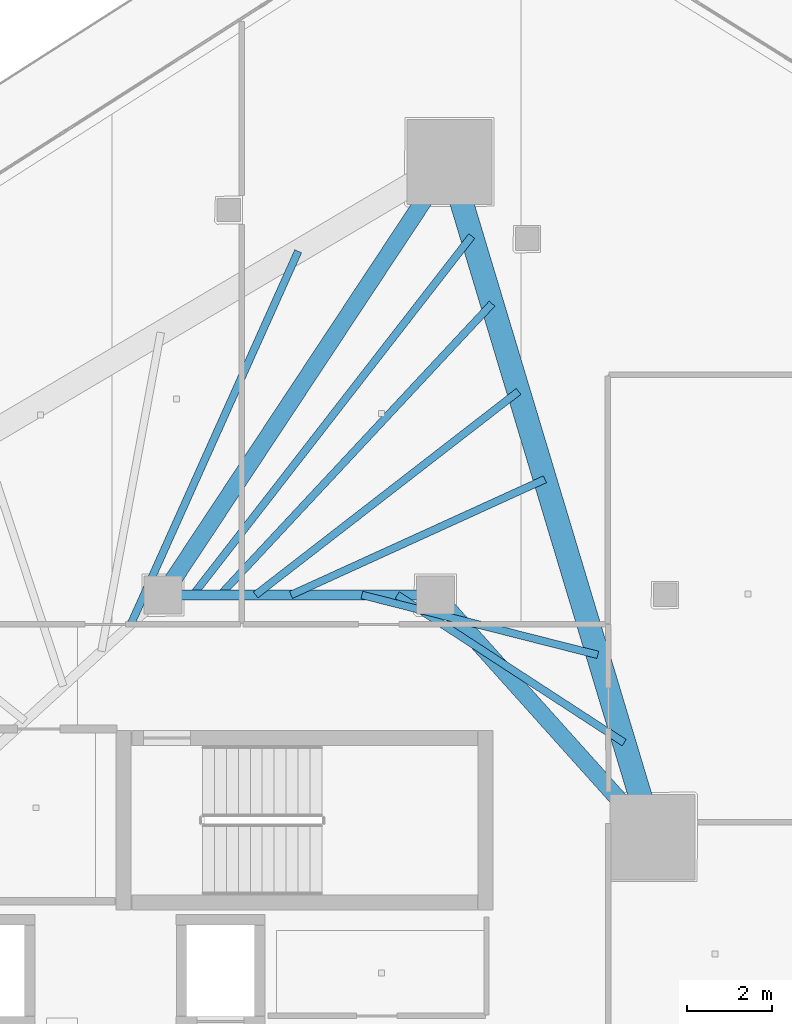
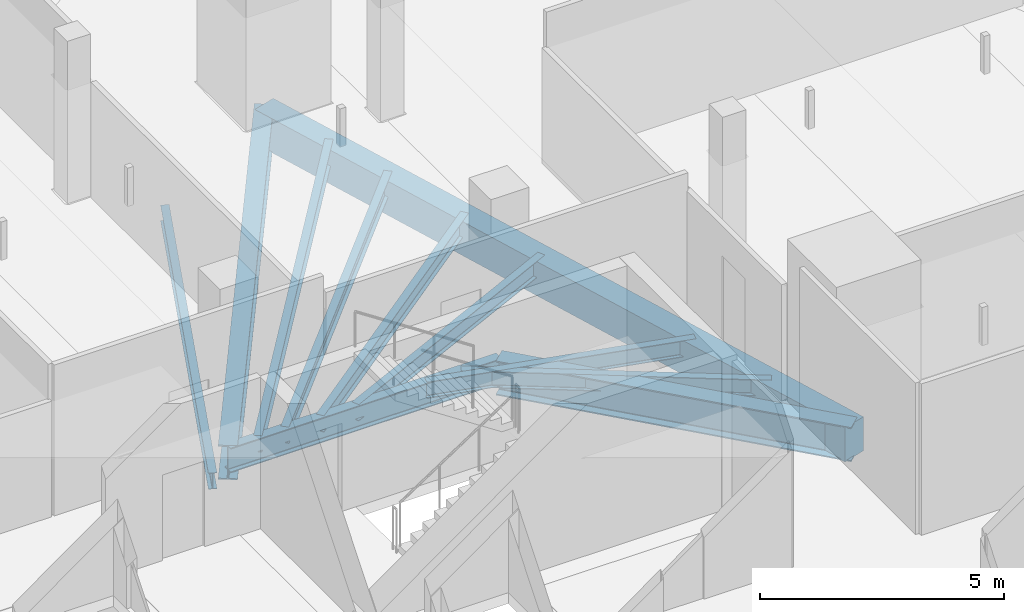
# One storey, part 19 of 37: 11 beams.
"""IFC4 building model written with IfcOpenShell, lengths in metres."""

import ifcopenshell
import ifcopenshell.guid

model = None  # the IFC model being written
_history = None  # IfcOwnerHistory: only IFC2X3 demands one
_inside = {}  # id of a spatial element -> (the spatial element, [elements in it])
_under = {}  # id of a project, library or spatial element -> (it, [spatial elements below it])
_declared = {}  # id of a project -> (the project, [libraries it declares])
_typed = {}  # id of a type object -> (the type object, [elements of that type])
_made_of = {}  # id of a material, layer set ... -> (it, [elements and type objects made of it])


def new_model(schema):
    """Start an empty IFC model of exactly this schema.

    Asked for "IFC4X3", IfcOpenShell would pick the latest addendum, in which some entities
    have other attributes; the version numbers below select the first issue.
    IFC2X3 requires an IfcOwnerHistory on every rooted entity: one is made here for all.
    """
    global model, _history
    if schema == "IFC4X3":
        model = ifcopenshell.file(schema_version=(4, 3, 0, 0))
    else:
        model = ifcopenshell.file(schema=schema)
    _inside.clear()
    _under.clear()
    _declared.clear()
    _typed.clear()
    _made_of.clear()
    _history = None
    if model.schema == "IFC2X3":
        org = make("IfcOrganization", Name="unknown")
        user = make(
            "IfcPersonAndOrganization",
            ThePerson=make("IfcPerson", FamilyName="unknown"),
            TheOrganization=org,
        )
        app = make(
            "IfcApplication",
            ApplicationDeveloper=org,
            Version="unknown",
            ApplicationFullName="unknown",
            ApplicationIdentifier="unknown",
        )
        _history = make(
            "IfcOwnerHistory",
            OwningUser=user,
            OwningApplication=app,
            ChangeAction="ADDED",
            CreationDate=0,
        )
    return model


def make(cls, **values):
    """One entity of the class cls with the attributes given. An attribute that is None is left unset."""
    return model.create_entity(
        cls, **{name: value for name, value in values.items() if value is not None}
    )


def rooted(cls, **values):
    """An entity with a GlobalId (a new one), such as an element, a storey or a relation."""
    return make(cls, GlobalId=ifcopenshell.guid.new(), OwnerHistory=_history, **values)


def si_unit(unit_type, name, prefix=None):
    """IfcSIUnit, for example si_unit("LENGTHUNIT", "METRE", prefix="MILLI")."""
    return make("IfcSIUnit", UnitType=unit_type, Prefix=prefix, Name=name)


def assignment(units):
    """IfcUnitAssignment: the units of a project."""
    return None if units is None else make("IfcUnitAssignment", Units=units)


def point(xyz):
    """IfcCartesianPoint."""
    return None if xyz is None else make("IfcCartesianPoint", Coordinates=xyz)


def direction(xyz):
    """IfcDirection."""
    return None if xyz is None else make("IfcDirection", DirectionRatios=xyz)


def frame(location, z_axis=None, x_axis=None):
    """IfcAxis2Placement3D, a coordinate frame: its origin and axes. An axis left out is left unset."""
    return make(
        "IfcAxis2Placement3D",
        Location=point(location),
        Axis=direction(z_axis),
        RefDirection=direction(x_axis),
    )


def frame_2d(location, x_axis=None):
    """IfcAxis2Placement2D, a coordinate frame in the plane: its origin and x axis."""
    return make(
        "IfcAxis2Placement2D", Location=point(location), RefDirection=direction(x_axis)
    )


def origin():
    """The frame at (0, 0, 0) with its axes left unset."""
    return frame((0.0, 0.0, 0.0))


def origin_2d():
    """The frame at (0, 0) in the plane with its x axis left unset."""
    return frame_2d((0.0, 0.0))


def place(relative_to, where):
    """IfcLocalPlacement: puts the frame where relative to a parent placement (None: the world)."""
    return make(
        "IfcLocalPlacement", PlacementRelTo=relative_to, RelativePlacement=where
    )


def context(
    kind, dimensions, precision=None, world=None, true_north=None, identifier=None
):
    """IfcGeometricRepresentationContext, for example the 3D "Model" context."""
    return make(
        "IfcGeometricRepresentationContext",
        ContextIdentifier=identifier,
        ContextType=kind,
        CoordinateSpaceDimension=dimensions,
        Precision=precision,
        WorldCoordinateSystem=world,
        TrueNorth=true_north,
    )


def subcontext(parent, identifier, kind, view, scale=None):
    """IfcGeometricRepresentationSubContext, for example "Body" below "Model"."""
    return make(
        "IfcGeometricRepresentationSubContext",
        ContextIdentifier=identifier,
        ContextType=kind,
        ParentContext=parent,
        TargetScale=scale,
        TargetView=view,
    )


def project(units=None, contexts=None):
    """IfcProject with its units and contexts."""
    return rooted(
        "IfcProject",
        Name="project",
        RepresentationContexts=contexts,
        UnitsInContext=assignment(units),
    )


def spatial(cls, under=None, at=None, **own):
    """A site, building, storey or space (cls), placed at a placement, below another one or the project."""
    s = rooted(cls, ObjectPlacement=at, **own)
    if under is not None:
        _under.setdefault(under.id(), (under, []))[1].append(s)
    return s


def profile(cls, at=None, kind="AREA", **sizes):
    """A parametric profile (cls). Its sizes go by their IFC names, for example OverallWidth=200.0."""
    return make(cls, ProfileType=kind, Position=at, **sizes)


def rectangle(**sizes):
    """IfcRectangleProfileDef."""
    return profile("IfcRectangleProfileDef", **sizes)


def i_section(**sizes):
    """IfcIShapeProfileDef."""
    return profile("IfcIShapeProfileDef", **sizes)


def extrude(swept, where, along, depth):
    """IfcExtrudedAreaSolid: the profile swept, set in the frame where, extruded along a direction by depth."""
    return make(
        "IfcExtrudedAreaSolid",
        SweptArea=swept,
        Position=where,
        ExtrudedDirection=direction(along),
        Depth=depth,
    )


def shape(context_of_items, identifier, shape_type, items):
    """IfcShapeRepresentation: the items that make up one representation, for example the "Body"."""
    return make(
        "IfcShapeRepresentation",
        ContextOfItems=context_of_items,
        RepresentationIdentifier=identifier,
        RepresentationType=shape_type,
        Items=items,
    )


def material(Name=None, Category=None):
    """IfcMaterial."""
    return make("IfcMaterial", Name=Name, Category=Category)


def material_profile(
    of_material, cross_section, Name=None, Category=None, Priority=None
):
    """IfcMaterialProfile: a cross section and its material."""
    return make(
        "IfcMaterialProfile",
        Name=Name,
        Material=of_material,
        Profile=cross_section,
        Priority=Priority,
        Category=Category,
    )


def profile_set(profiles, Name=None, composite=None):
    """IfcMaterialProfileSet."""
    return make(
        "IfcMaterialProfileSet",
        Name=Name,
        MaterialProfiles=profiles,
        CompositeProfile=composite,
    )


def made_of(thing, what):
    """Note that an element or type object is made of a material, layer set ...; save() writes the relation."""
    if what is not None:
        _made_of.setdefault(what.id(), (what, []))[1].append(thing)
    return thing


def type_object(cls, material=None, **own):
    """A type object (cls), such as IfcWallType, which elements share."""
    return made_of(rooted(cls, **own), material)


def element(
    cls,
    number,
    at=None,
    inside=None,
    cuts=None,
    type_object=None,
    material=None,
    context=None,
    identifier="Body",
    shape_type=None,
    held_by="IfcProductDefinitionShape",
    body=None,
    shapes=None,
    **own,
):
    """One element of the class cls, such as IfcWall. Its Tag is "e" and its number.

    at: its placement. inside: the storey or other place that contains it. cuts: it is an
    opening in that element (IfcRelVoidsElement). A single representation is given by context,
    identifier, shape_type and body (its items); several are given by shapes. held_by: the class
    of the entity that holds the representations. save() writes the other relations.
    """
    e = rooted(cls, Tag="e%d" % number, ObjectPlacement=at, **own)
    if body is not None:
        shapes = [shape(context, identifier, shape_type, body)]
    if shapes is not None:
        e.Representation = make(held_by, Representations=shapes)
    if inside is not None:
        _inside.setdefault(inside.id(), (inside, []))[1].append(e)
    if cuts is not None:
        rooted(
            "IfcRelVoidsElement", RelatingBuildingElement=cuts, RelatedOpeningElement=e
        )
    if type_object is not None:
        _typed.setdefault(type_object.id(), (type_object, []))[1].append(e)
    return made_of(e, material)


def aggregate(whole, parts):
    """IfcRelAggregates: a whole, such as a stair, and the parts it consists of."""
    return rooted("IfcRelAggregates", RelatingObject=whole, RelatedObjects=parts)


def save(model, path):
    """Write the relations noted so far, then the file.

    IfcRelAggregates (storeys below a building ...), IfcRelContainedInSpatialStructure (elements
    in a storey), IfcRelDefinesByType, IfcRelAssociatesMaterial and IfcRelDeclares: one each for
    every whole, place, type object, material and project.
    """
    for whole, parts in _under.values():
        aggregate(whole, parts)
    for where, things in _inside.values():
        rooted(
            "IfcRelContainedInSpatialStructure",
            RelatedElements=things,
            RelatingStructure=where,
        )
    for kind, things in _typed.values():
        rooted("IfcRelDefinesByType", RelatedObjects=things, RelatingType=kind)
    for what, things in _made_of.values():
        rooted("IfcRelAssociatesMaterial", RelatedObjects=things, RelatingMaterial=what)
    for by, libraries in _declared.values():
        rooted("IfcRelDeclares", RelatingContext=by, RelatedDefinitions=libraries)
    model.write(path)


model = new_model("IFC4")

# Units and contexts
model_context = context("Model", 3, precision=1e-05, world=origin(), true_north=direction((0.0, 1.0)))
body_context = subcontext(model_context, "Body", "Model", "MODEL_VIEW")
ifc_project = project(units=[si_unit("LENGTHUNIT", "METRE"), si_unit("AREAUNIT", "SQUARE_METRE"), si_unit("VOLUMEUNIT", "CUBIC_METRE"), si_unit("PLANEANGLEUNIT", "RADIAN"), si_unit("MASSUNIT", "GRAM", prefix="KILO")], contexts=[model_context])

# Site, building, storey
site_placement = place(None, origin())
site = spatial("IfcSite", under=ifc_project, at=site_placement, CompositionType="ELEMENT")
building_placement = place(site_placement, origin())
building = spatial("IfcBuilding", under=site, at=building_placement, Name="Qorvath Tower", CompositionType="ELEMENT")
storey_placement = place(building_placement, frame((0.0, 0.0, 188.85009765625)))
storey = spatial("IfcBuildingStorey", under=building, at=storey_placement, Name="L43", CompositionType="ELEMENT", Elevation=188.85009765625)

# Beams
ifc_material_1 = material(Name="Steel ASTM A992 Grade 50", Category="steel")
ifc_material_profile_1 = material_profile(ifc_material_1, i_section(OverallWidth=0.39892578125, OverallDepth=0.85498046875, WebThickness=0.018310546875, FlangeThickness=0.029296875, FilletRadius=0.02001953125, at=origin_2d()), Name="W33x201")
ifc_profile_set_1 = profile_set([ifc_material_profile_1], Name="Steel ASTM A992 Grade 50")
beam_type_1 = type_object("IfcBeamType", Name="BM-FG2", PredefinedType="BEAM", material=ifc_profile_set_1)
beam_1_placement = place(storey_placement, frame((-23.60009765625, 11.449951171875, -0.697509765625), z_axis=(0.551500517741, 0.834174549439, 0.0), x_axis=(-0.834174549439, 0.551500517741, 0.0)))
element("IfcBeam", 1, at=beam_1_placement, inside=storey, type_object=beam_type_1, Name="Radial Floor Girder CC1-MC6 L43", PredefinedType="BEAM", context=body_context, shape_type="SweptSolid", body=[
    extrude(i_section(OverallWidth=0.39892578125, OverallDepth=0.85498046875, WebThickness=0.018310546875, FlangeThickness=0.029296875, FilletRadius=0.02001953125, at=origin_2d()), origin(), (0.0, 0.0, 1.0), 12.200439453125),
])
beam_2_placement = place(storey_placement, frame((-17.199951171875, 11.449951171875, -0.697509765625), z_axis=(0.667543184261, -0.744571082669, 0.0), x_axis=(0.744571082669, 0.667543184261, 0.0)))
element("IfcBeam", 2, at=beam_2_placement, inside=storey, type_object=beam_type_1, Name="Radial Floor Girder CC2-MC5 L43", PredefinedType="BEAM", context=body_context, shape_type="SweptSolid", body=[
    extrude(i_section(OverallWidth=0.39892578125, OverallDepth=0.85498046875, WebThickness=0.018310546875, FlangeThickness=0.029296875, FilletRadius=0.02001953125, at=origin_2d()), origin(), (0.0, 0.0, 1.0), 7.644775390625),
])
ifc_material_2 = material(Name="Steel ASTM A992 Grade 50", Category="steel")
ifc_material_profile_2 = material_profile(ifc_material_2, i_section(OverallWidth=0.22998046875, OverallDepth=0.616943359375, WebThickness=0.01318359375, FlangeThickness=0.022216796875, FilletRadius=0.014892578125, at=origin_2d()), Name="W24x94")
ifc_profile_set_2 = profile_set([ifc_material_profile_2], Name="Steel ASTM A992 Grade 50")
beam_type_2 = type_object("IfcBeamType", Name="BM-FG6", PredefinedType="BEAM", material=ifc_profile_set_2)
beam_3_placement = place(storey_placement, frame((-23.60009765625, 11.449951171875, -0.57861328125), z_axis=(1.0, 0.0, 0.0), x_axis=(0.0, 1.0, 0.0)))
element("IfcBeam", 3, at=beam_3_placement, inside=storey, type_object=beam_type_2, Name="Core Ring Girder CC1-CC2 L43", PredefinedType="BEAM", context=body_context, shape_type="SweptSolid", body=[
    extrude(i_section(OverallWidth=0.22998046875, OverallDepth=0.616943359375, WebThickness=0.01318359375, FlangeThickness=0.022216796875, FilletRadius=0.014892578125, at=origin_2d()), origin(), (0.0, 0.0, 1.0), 6.400146484375),
])
ifc_material_3 = material(Name="Steel ASTM A992 Grade 50", Category="steel")
ifc_material_profile_3 = material_profile(ifc_material_3, i_section(OverallWidth=0.177978515625, OverallDepth=0.406005859375, WebThickness=0.0078125, FlangeThickness=0.0126953125, FilletRadius=0.010986328125, at=origin_2d()), Name="W16x40")
ifc_profile_set_3 = profile_set([ifc_material_profile_3], Name="Steel ASTM A992 Grade 50")
beam_type_3 = type_object("IfcBeamType", Name="BM-FJ3", PredefinedType="JOIST", material=ifc_profile_set_3)
beam_4_placement = place(storey_placement, frame((-18.095947265625, 11.449951171875, -0.472900390625), z_axis=(0.838041756057, -0.545606098853, 0.0), x_axis=(0.545606098853, 0.838041756057, 0.0)))
element("IfcBeam", 4, at=beam_4_placement, inside=storey, type_object=beam_type_3, Name="Composite Floor Joist NE1 L43", PredefinedType="JOIST", context=body_context, shape_type="SweptSolid", body=[
    extrude(i_section(OverallWidth=0.177978515625, OverallDepth=0.406005859375, WebThickness=0.0078125, FlangeThickness=0.0126953125, FilletRadius=0.010986328125, at=origin_2d()), origin(), (0.0, 0.0, 1.0), 6.36083984375),
])
beam_5_placement = place(storey_placement, frame((-18.927978515625, 11.449951171875, -0.472900390625), z_axis=(0.969231577698, -0.246150662794, 0.0), x_axis=(0.246150662794, 0.969231577698, 0.0)))
element("IfcBeam", 5, at=beam_5_placement, inside=storey, type_object=beam_type_3, Name="Composite Floor Joist NE2 L43", PredefinedType="JOIST", context=body_context, shape_type="SweptSolid", body=[
    extrude(i_section(OverallWidth=0.177978515625, OverallDepth=0.406005859375, WebThickness=0.0078125, FlangeThickness=0.0126953125, FilletRadius=0.010986328125, at=origin_2d()), origin(), (0.0, 0.0, 1.0), 5.718017578125),
])
beam_6_placement = place(storey_placement, frame((-20.592041015625, 11.449951171875, -0.472900390625), z_axis=(0.909945081179, 0.414728765868, 0.0), x_axis=(-0.414728765868, 0.909945081179, 0.0)))
element("IfcBeam", 6, at=beam_6_placement, inside=storey, type_object=beam_type_3, Name="Composite Floor Joist NE4 L43", PredefinedType="JOIST", context=body_context, shape_type="SweptSolid", body=[
    extrude(i_section(OverallWidth=0.177978515625, OverallDepth=0.406005859375, WebThickness=0.0078125, FlangeThickness=0.0126953125, FilletRadius=0.010986328125, at=origin_2d()), origin(), (0.0, 0.0, 1.0), 6.554931640625),
])
beam_7_placement = place(storey_placement, frame((-21.424072265625, 11.449951171875, -0.472900390625), z_axis=(0.790693445503, 0.612212279555, 0.0), x_axis=(-0.612212279555, 0.790693445503, 0.0)))
element("IfcBeam", 7, at=beam_7_placement, inside=storey, type_object=beam_type_3, Name="Composite Floor Joist NE5 L43", PredefinedType="JOIST", context=body_context, shape_type="SweptSolid", body=[
    extrude(i_section(OverallWidth=0.177978515625, OverallDepth=0.406005859375, WebThickness=0.0078125, FlangeThickness=0.0126953125, FilletRadius=0.010986328125, at=origin_2d()), origin(), (0.0, 0.0, 1.0), 7.810546875),
])
beam_8_placement = place(storey_placement, frame((-22.256103515625, 11.449951171875, -0.472900390625), z_axis=(0.682249490937, 0.731119437654, 0.0), x_axis=(-0.731119437654, 0.682249490937, 0.0)))
element("IfcBeam", 8, at=beam_8_placement, inside=storey, type_object=beam_type_3, Name="Composite Floor Joist NE6 L43", PredefinedType="JOIST", context=body_context, shape_type="SweptSolid", body=[
    extrude(i_section(OverallWidth=0.177978515625, OverallDepth=0.406005859375, WebThickness=0.0078125, FlangeThickness=0.0126953125, FilletRadius=0.010986328125, at=origin_2d()), origin(), (0.0, 0.0, 1.0), 9.362060546875),
])
beam_9_placement = place(storey_placement, frame((-22.89599609375, 11.449951171875, -0.472900390625), z_axis=(0.61345131907, 0.789732536452, 0.0), x_axis=(-0.789732536452, 0.61345131907, 0.0)))
element("IfcBeam", 9, at=beam_9_placement, inside=storey, type_object=beam_type_3, Name="Composite Floor Joist NE7 L43", PredefinedType="JOIST", context=body_context, shape_type="SweptSolid", body=[
    extrude(i_section(OverallWidth=0.177978515625, OverallDepth=0.406005859375, WebThickness=0.0078125, FlangeThickness=0.0126953125, FilletRadius=0.010986328125, at=origin_2d()), origin(), (0.0, 0.0, 1.0), 10.676513671875),
])
beam_10_placement = place(storey_placement, frame((-24.35888671875, 10.757080078125, -0.472900390625), z_axis=(0.409327209141, 0.912387656568, 0.0), x_axis=(-0.912387656568, 0.409327209141, 0.0)))
element("IfcBeam", 10, at=beam_10_placement, inside=storey, type_object=beam_type_3, Name="Composite Floor Joist NW7 L43", PredefinedType="JOIST", context=body_context, shape_type="SweptSolid", body=[
    extrude(i_section(OverallWidth=0.177978515625, OverallDepth=0.406005859375, WebThickness=0.0078125, FlangeThickness=0.0126953125, FilletRadius=0.010986328125, at=origin_2d()), origin(), (0.0, 0.0, 1.0), 9.611083984375),
])
ifc_material_4 = material(Name="Concrete C50/60", Category="concrete")
ifc_material_profile_4 = material_profile(ifc_material_4, rectangle(XDim=0.550048828125, YDim=0.85009765625, at=origin_2d()), Name="RCB 850x550")
ifc_profile_set_4 = profile_set([ifc_material_profile_4], Name="Concrete C50/60")
beam_type_4 = type_object("IfcBeamType", Name="BM-RCB2", PredefinedType="SPANDREL", material=ifc_profile_set_4)
beam_11_placement = place(storey_placement, frame((-12.0966796875, 5.7578125, -0.695068359375), z_axis=(-0.28812763802, 0.957592013443, 0.0), x_axis=(-0.957592013443, -0.28812763802, 0.0)))
element("IfcBeam", 11, at=beam_11_placement, inside=storey, type_object=beam_type_4, Name="Perimeter Loggia Frame Beam MC5-MC6 L43", PredefinedType="SPANDREL", context=body_context, shape_type="SweptSolid", body=[
    extrude(rectangle(XDim=0.550048828125, YDim=0.85009765625, at=origin_2d()), origin(), (0.0, 0.0, 1.0), 16.572265625),
])

save(model, "model.ifc")
